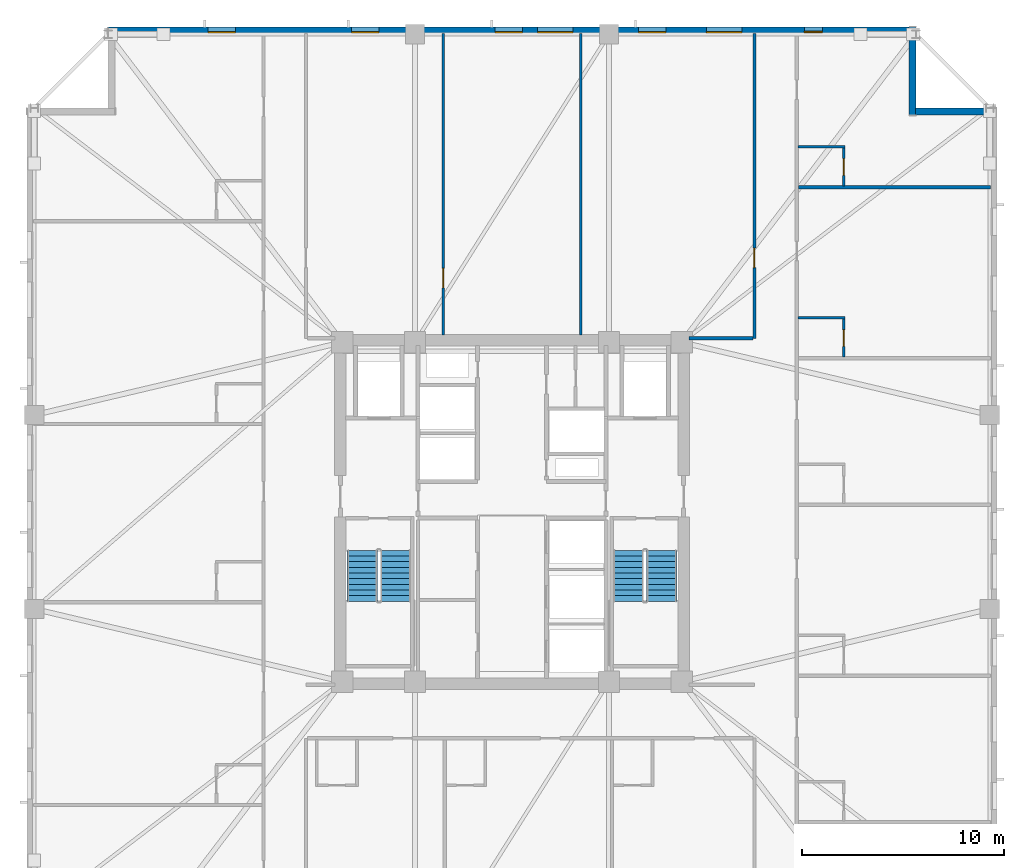
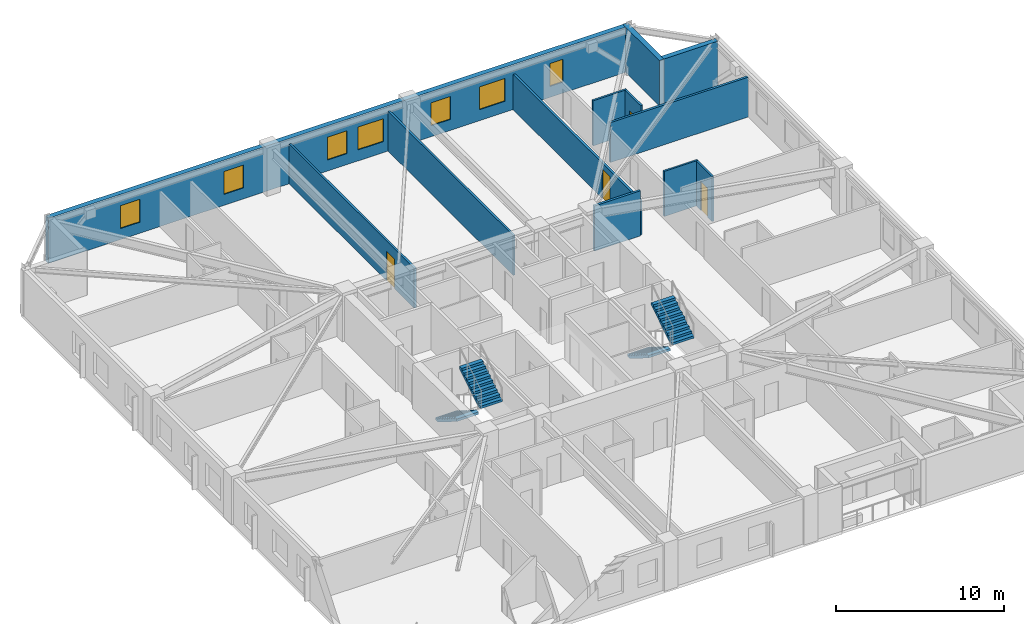
# One storey, part 6 of 11: 12 walls, 7 windows, 4 doors, 4 stair flights, 11 openings, 2 elements without a shape of their own.
"""IFC4 building model written with IfcOpenShell, lengths in metres."""

from ifc_helpers import new_model, si_unit, direction, frame, frame_2d, origin, place, context, subcontext, project, spatial, polyline, rectangle, outline, extrude, material, layer, layer_set, type_object, element, fill, aggregate, save


model = new_model("IFC4")

# Units and contexts
model_context = context("Model", 3, precision=1e-05, world=origin(), true_north=direction((0.0, 1.0)))
body_context = subcontext(model_context, "Body", "Model", "MODEL_VIEW")
ifc_project = project(units=[si_unit("LENGTHUNIT", "METRE"), si_unit("AREAUNIT", "SQUARE_METRE"), si_unit("VOLUMEUNIT", "CUBIC_METRE"), si_unit("PLANEANGLEUNIT", "RADIAN"), si_unit("MASSUNIT", "GRAM", prefix="KILO")], contexts=[model_context])

# Site, building, storey
site_placement = place(None, origin())
site = spatial("IfcSite", under=ifc_project, at=site_placement, CompositionType="ELEMENT")
building_placement = place(site_placement, origin())
building = spatial("IfcBuilding", under=site, at=building_placement, Name="Cairnveth Concourse Tower", CompositionType="ELEMENT")
storey_placement = place(building_placement, frame((0.0, 0.0, 169.0)))
storey = spatial("IfcBuildingStorey", under=building, at=storey_placement, Name="L46", CompositionType="ELEMENT", Elevation=169.0)

# Wall, opening, door
ifc_material_1 = material(Name="Gypsum Plasterboard Partition", Category="gypsum")
ifc_layer_1 = layer(ifc_material_1, 0.159912109375)
ifc_layer_set_1 = layer_set([ifc_layer_1], Name="Gypsum Plasterboard Partition")
wall_type_1 = type_object("IfcWallType", Name="ACOUSTIC PARTY WALL 180", PredefinedType="PARTITIONING", material=ifc_layer_set_1)
wall_1_placement = place(storey_placement, frame((64.0, 47.60009765625, 0.0), z_axis=(0.0, 0.0, 1.0), x_axis=(0.0, 1.0, 0.0)))
wall_1 = element("IfcWall", 1, at=wall_1_placement, inside=storey, type_object=wall_type_1, Name="Interior Wall IW-L46-044", PredefinedType="PARTITIONING", context=body_context, shape_type="SweptSolid", body=[
    extrude(rectangle(XDim=15.074951171875, YDim=0.159912109375, at=frame_2d((7.53759765625, 0.0))), origin(), (0.0, 0.0, 1.0), 2.554931640625),
])
opening_1_placement = place(wall_1_placement, frame((3.5, 0.0, 0.0)))
opening_1 = element("IfcOpeningElement", 2, at=opening_1_placement, cuts=wall_1, Name="Opening ID11", PredefinedType="OPENING", context=body_context, shape_type="SweptSolid", body=[
    extrude(rectangle(XDim=0.9599609375, YDim=2.1201171875, at=frame_2d((0.47998046875, 1.06005859375))), frame((0.0, 0.08984375, 0.0), z_axis=(0.0, -1.0, 0.0), x_axis=(1.0, 0.0, 0.0)), (0.0, 0.0, 1.0), 0.179931640625),
])
ifc_material_2 = material(Name="Solid Core Hardwood Timber Leaf", Category="wood")
door_type_1 = type_object("IfcDoorType", Name="INTERIOR SINGLE DOOR 960X2150", OperationType="NOTDEFINED", PredefinedType="DOOR", material=ifc_material_2)
door_1_placement = place(opening_1_placement, origin())
door_1 = element("IfcDoor", 3, at=door_1_placement, inside=storey, type_object=door_type_1, Name="Interior Door DR-L46-017", OperationType="SINGLE_SWING_LEFT", OverallHeight=2.1201171875, OverallWidth=0.9599609375, PredefinedType="DOOR", context=body_context, shape_type="SweptSolid", body=[
    extrude(rectangle(XDim=0.9599609375, YDim=2.1201171875, at=frame_2d((0.47998046875, 1.06005859375))), frame((0.0, 0.02490234375, 0.0), z_axis=(0.0, -1.0, 0.0), x_axis=(1.0, 0.0, 0.0)), (0.0, 0.0, 1.0), 0.050048828125),
])
fill(opening_1, door_1)

# Walls
wall_2_placement = place(storey_placement, frame((60.764892578125, 47.60009765625, 0.0), z_axis=(0.0, 0.0, 1.0), x_axis=(1.0, 0.0, 0.0)))
element("IfcWall", 4, at=wall_2_placement, inside=storey, type_object=wall_type_1, Name="Interior Wall IW-L46-046", PredefinedType="PARTITIONING", context=body_context, shape_type="SweptSolid", body=[
    extrude(rectangle(XDim=3.170166015625, YDim=0.159912109375, at=frame_2d((1.5849609375, 0.0))), origin(), (0.0, 0.0, 1.0), 3.280029296875),
])
wall_3_placement = place(storey_placement, frame((66.179931640625, 55.0791015625, 0.0), z_axis=(0.0, 0.0, 1.0), x_axis=(1.0, 0.0, 0.0)))
element("IfcWall", 5, at=wall_3_placement, inside=storey, type_object=wall_type_1, Name="Interior Wall IW-L46-089", PredefinedType="PARTITIONING", context=body_context, shape_type="SweptSolid", body=[
    extrude(rectangle(XDim=9.4951171875, YDim=0.159912109375, at=frame_2d((4.74755859375, 0.0))), origin(), (0.0, 0.0, 1.0), 2.89599609375),
])

# Wall, opening, door
ifc_layer_2 = layer(ifc_material_1, 0.139892578125)
ifc_layer_set_2 = layer_set([ifc_layer_2], Name="Gypsum Plasterboard Partition")
wall_type_2 = type_object("IfcWallType", Name="GYPSUM STUD PARTITION 140", PredefinedType="PARTITIONING", material=ifc_layer_set_2)
wall_4_placement = place(storey_placement, frame((48.60009765625, 47.760009765625, 0.0), z_axis=(0.0, 0.0, 1.0), x_axis=(0.0, 1.0, 0.0)))
wall_4 = element("IfcWall", 6, at=wall_4_placement, inside=storey, type_object=wall_type_2, Name="Interior Wall IW-L46-048", PredefinedType="PARTITIONING", context=body_context, shape_type="SweptSolid", body=[
    extrude(rectangle(XDim=14.9150390625, YDim=0.139892578125, at=frame_2d((7.45751953125, 0.0))), origin(), (0.0, 0.0, 1.0), 2.89599609375),
])
opening_2_placement = place(wall_4_placement, frame((2.340087890625, 0.0, 0.0)))
opening_2 = element("IfcOpeningElement", 7, at=opening_2_placement, cuts=wall_4, Name="Opening ID11", PredefinedType="OPENING", context=body_context, shape_type="SweptSolid", body=[
    extrude(rectangle(XDim=0.9599609375, YDim=2.1201171875, at=frame_2d((0.47998046875, 1.06005859375))), frame((0.0, 0.079833984375, 0.0), z_axis=(0.0, -1.0, 0.0), x_axis=(1.0, 0.0, 0.0)), (0.0, 0.0, 1.0), 0.159912109375),
])
door_2_placement = place(opening_2_placement, origin())
door_2 = element("IfcDoor", 8, at=door_2_placement, inside=storey, type_object=door_type_1, Name="Interior Door DR-L46-018", OperationType="SINGLE_SWING_RIGHT", OverallHeight=2.1201171875, OverallWidth=0.9599609375, PredefinedType="DOOR", context=body_context, shape_type="SweptSolid", body=[
    extrude(rectangle(XDim=0.9599609375, YDim=2.1201171875, at=frame_2d((0.47998046875, 1.06005859375))), frame((0.0, 0.02490234375, 0.0), z_axis=(0.0, -1.0, 0.0), x_axis=(1.0, 0.0, 0.0)), (0.0, 0.0, 1.0), 0.050048828125),
])
fill(opening_2, door_2)

# Walls
wall_5_placement = place(storey_placement, frame((55.39990234375, 47.760009765625, 0.0), z_axis=(0.0, 0.0, 1.0), x_axis=(0.0, 1.0, 0.0)))
element("IfcWall", 9, at=wall_5_placement, inside=storey, type_object=wall_type_2, Name="Interior Wall IW-L46-049", PredefinedType="PARTITIONING", context=body_context, shape_type="SweptSolid", body=[
    extrude(rectangle(XDim=14.9150390625, YDim=0.139892578125, at=frame_2d((7.45751953125, 0.0))), origin(), (0.0, 0.0, 1.0), 2.89599609375),
])
ifc_layer_3 = layer(ifc_material_1, 0.1298828125)
ifc_layer_set_3 = layer_set([ifc_layer_3], Name="Gypsum Plasterboard Partition")
wall_type_3 = type_object("IfcWallType", Name="WET AREA PARTITION 140", PredefinedType="PLUMBINGWALL", material=ifc_layer_set_3)
wall_6_placement = place(storey_placement, frame((66.1650390625, 48.611328125, 0.0), z_axis=(0.0, 0.0, 1.0), x_axis=(1.0, 0.0, 0.0)))
element("IfcWall", 10, at=wall_6_placement, inside=storey, type_object=wall_type_3, Name="Interior Wall IW-L46-087", PredefinedType="PLUMBINGWALL", context=body_context, shape_type="SweptSolid", body=[
    extrude(rectangle(XDim=2.31494140625, YDim=0.1298828125, at=frame_2d((1.157470703125, 0.0))), origin(), (0.0, 0.0, 1.0), 3.280029296875),
])

# Wall, opening, door
wall_7_placement = place(storey_placement, frame((68.429931640625, 46.676513671875, 0.0), z_axis=(0.0, 0.0, 1.0), x_axis=(0.0, 1.0, 0.0)))
wall_7 = element("IfcWall", 11, at=wall_7_placement, inside=storey, type_object=wall_type_3, Name="Interior Wall IW-L46-088", PredefinedType="PLUMBINGWALL", context=body_context, shape_type="SweptSolid", body=[
    extrude(rectangle(XDim=1.884765625, YDim=0.1298828125, at=frame_2d((0.9423828125, 0.0))), origin(), (0.0, 0.0, 1.0), 3.280029296875),
])
opening_3_placement = place(wall_7_placement, frame((0.52490234375, 0.0, 0.0)))
opening_3 = element("IfcOpeningElement", 12, at=opening_3_placement, cuts=wall_7, Name="Opening ID22", PredefinedType="OPENING", context=body_context, shape_type="SweptSolid", body=[
    extrude(rectangle(XDim=0.820068359375, YDim=2.10009765625, at=frame_2d((0.41015625, 1.050048828125))), frame((0.0, 0.074951171875, 0.0), z_axis=(0.0, -1.0, 0.0), x_axis=(1.0, 0.0, 0.0)), (0.0, 0.0, 1.0), 0.14990234375),
])
door_type_2 = type_object("IfcDoorType", Name="INTERIOR WC DOOR 820X2100", OperationType="NOTDEFINED", PredefinedType="DOOR", material=ifc_material_2)
door_3_placement = place(opening_3_placement, origin())
door_3 = element("IfcDoor", 13, at=door_3_placement, inside=storey, type_object=door_type_2, Name="En-Suite Door L46-E5", OperationType="SINGLE_SWING_LEFT", OverallHeight=2.10009765625, OverallWidth=0.820068359375, PredefinedType="DOOR", context=body_context, shape_type="SweptSolid", body=[
    extrude(rectangle(XDim=0.820068359375, YDim=2.10009765625, at=frame_2d((0.41015625, 1.050048828125))), frame((0.0, 0.02490234375, 0.0), z_axis=(0.0, -1.0, 0.0), x_axis=(1.0, 0.0, 0.0)), (0.0, 0.0, 1.0), 0.050048828125),
])
fill(opening_3, door_3)

# Wall
wall_8_placement = place(storey_placement, frame((66.1650390625, 57.0791015625, 0.0), z_axis=(0.0, 0.0, 1.0), x_axis=(1.0, 0.0, 0.0)))
element("IfcWall", 14, at=wall_8_placement, inside=storey, type_object=wall_type_3, Name="Interior Wall IW-L46-090", PredefinedType="PLUMBINGWALL", context=body_context, shape_type="SweptSolid", body=[
    extrude(rectangle(XDim=2.31494140625, YDim=0.1298828125, at=frame_2d((1.157470703125, 0.0))), origin(), (0.0, 0.0, 1.0), 3.280029296875),
])

# Wall, opening, door
wall_9_placement = place(storey_placement, frame((68.429931640625, 55.14404296875, 0.0), z_axis=(0.0, 0.0, 1.0), x_axis=(0.0, 1.0, 0.0)))
wall_9 = element("IfcWall", 15, at=wall_9_placement, inside=storey, type_object=wall_type_3, Name="Interior Wall IW-L46-091", PredefinedType="PLUMBINGWALL", context=body_context, shape_type="SweptSolid", body=[
    extrude(rectangle(XDim=1.885009765625, YDim=0.1298828125, at=frame_2d((0.9423828125, 0.0))), origin(), (0.0, 0.0, 1.0), 3.280029296875),
])
opening_4_placement = place(wall_9_placement, frame((0.52490234375, 0.0, 0.0)))
opening_4 = element("IfcOpeningElement", 16, at=opening_4_placement, cuts=wall_9, Name="Opening ID22", PredefinedType="OPENING", context=body_context, shape_type="SweptSolid", body=[
    extrude(rectangle(XDim=0.820068359375, YDim=2.10009765625, at=frame_2d((0.41015625, 1.050048828125))), frame((0.0, 0.074951171875, 0.0), z_axis=(0.0, -1.0, 0.0), x_axis=(1.0, 0.0, 0.0)), (0.0, 0.0, 1.0), 0.14990234375),
])
door_4_placement = place(opening_4_placement, origin())
door_4 = element("IfcDoor", 17, at=door_4_placement, inside=storey, type_object=door_type_2, Name="En-Suite Door L46-E6", OperationType="SINGLE_SWING_LEFT", OverallHeight=2.10009765625, OverallWidth=0.820068359375, PredefinedType="DOOR", context=body_context, shape_type="SweptSolid", body=[
    extrude(rectangle(XDim=0.820068359375, YDim=2.10009765625, at=frame_2d((0.41015625, 1.050048828125))), frame((0.0, 0.02490234375, 0.0), z_axis=(0.0, -1.0, 0.0), x_axis=(1.0, 0.0, 0.0)), (0.0, 0.0, 1.0), 0.050048828125),
])
fill(opening_4, door_4)

# Wall, openings, windows
ifc_material_3 = material(Name="Hawthorn Red-Ochre Fired Clay Brick Masonry", Category="masonry")
ifc_layer_4 = layer(ifc_material_3, 0.340087890625)
ifc_layer_set_4 = layer_set([ifc_layer_4], Name="Hawthorn Red-Ochre Fired Clay Brick Masonry")
wall_type_4 = type_object("IfcWallType", Name="ZONE 2 BRICK PIER SPANDREL WALL 340", PredefinedType="SOLIDWALL", material=ifc_layer_set_4)
wall_10_placement = place(storey_placement, frame((32.0, 62.830078125, 0.0), z_axis=(0.0, 0.0, 1.0), x_axis=(1.0, 0.0, 0.0)))
wall_10 = element("IfcWall", 18, at=wall_10_placement, inside=storey, type_object=wall_type_4, Name="Exterior Wall EW-L46-S06", PredefinedType="SOLIDWALL", context=body_context, shape_type="SweptSolid", body=[
    extrude(rectangle(XDim=39.681884765625, YDim=0.340087890625, at=frame_2d((19.8408203125, 0.0))), origin(), (0.0, 0.0, 1.0), 3.280029296875),
])
opening_5_placement = place(wall_10_placement, frame((4.951904296875, 0.0, 0.800048828125)))
opening_5 = element("IfcOpeningElement", 19, at=opening_5_placement, cuts=wall_10, Name="Opening W02", PredefinedType="OPENING", context=body_context, shape_type="SweptSolid", body=[
    extrude(rectangle(XDim=1.35009765625, YDim=1.659912109375, at=frame_2d((0.675048828125, 0.830078125))), frame((0.0, 0.179931640625, 0.0), z_axis=(0.0, -1.0, 0.0), x_axis=(1.0, 0.0, 0.0)), (0.0, 0.0, 1.0), 0.360107421875),
])
opening_6_placement = place(wall_10_placement, frame((12.058837890625, 0.0, 0.800048828125)))
opening_6 = element("IfcOpeningElement", 20, at=opening_6_placement, cuts=wall_10, Name="Opening W02", PredefinedType="OPENING", context=body_context, shape_type="SweptSolid", body=[
    extrude(rectangle(XDim=1.35009765625, YDim=1.659912109375, at=frame_2d((0.675048828125, 0.830078125))), frame((0.0, 0.179931640625, 0.0), z_axis=(0.0, -1.0, 0.0), x_axis=(1.0, 0.0, 0.0)), (0.0, 0.0, 1.0), 0.360107421875),
])
opening_7_placement = place(wall_10_placement, frame((19.166015625, 0.0, 0.800048828125)))
opening_7 = element("IfcOpeningElement", 21, at=opening_7_placement, cuts=wall_10, Name="Opening W02", PredefinedType="OPENING", context=body_context, shape_type="SweptSolid", body=[
    extrude(rectangle(XDim=1.35009765625, YDim=1.659912109375, at=frame_2d((0.675048828125, 0.830078125))), frame((0.0, 0.179931640625, 0.0), z_axis=(0.0, -1.0, 0.0), x_axis=(1.0, 0.0, 0.0)), (0.0, 0.0, 1.0), 0.360107421875),
])
opening_8_placement = place(wall_10_placement, frame((21.26953125, 0.0, 0.800048828125)))
opening_8 = element("IfcOpeningElement", 22, at=opening_8_placement, cuts=wall_10, Name="Opening W06", PredefinedType="OPENING", context=body_context, shape_type="SweptSolid", body=[
    extrude(rectangle(XDim=1.75, YDim=1.659912109375, at=frame_2d((0.875, 0.830078125))), frame((0.0, 0.179931640625, 0.0), z_axis=(0.0, -1.0, 0.0), x_axis=(1.0, 0.0, 0.0)), (0.0, 0.0, 1.0), 0.360107421875),
])
opening_9_placement = place(wall_10_placement, frame((26.273193359375, 0.0, 0.800048828125)))
opening_9 = element("IfcOpeningElement", 23, at=opening_9_placement, cuts=wall_10, Name="Opening W02", PredefinedType="OPENING", context=body_context, shape_type="SweptSolid", body=[
    extrude(rectangle(XDim=1.35009765625, YDim=1.659912109375, at=frame_2d((0.675048828125, 0.830078125))), frame((0.0, 0.179931640625, 0.0), z_axis=(0.0, -1.0, 0.0), x_axis=(1.0, 0.0, 0.0)), (0.0, 0.0, 1.0), 0.360107421875),
])
opening_10_placement = place(wall_10_placement, frame((29.626708984375, 0.0, 0.800048828125)))
opening_10 = element("IfcOpeningElement", 24, at=opening_10_placement, cuts=wall_10, Name="Opening W06", PredefinedType="OPENING", context=body_context, shape_type="SweptSolid", body=[
    extrude(rectangle(XDim=1.75, YDim=1.659912109375, at=frame_2d((0.875, 0.830078125))), frame((0.0, 0.179931640625, 0.0), z_axis=(0.0, -1.0, 0.0), x_axis=(1.0, 0.0, 0.0)), (0.0, 0.0, 1.0), 0.360107421875),
])
opening_11_placement = place(wall_10_placement, frame((34.469970703125, 0.0, 0.800048828125)))
opening_11 = element("IfcOpeningElement", 25, at=opening_11_placement, cuts=wall_10, Name="Opening W13", PredefinedType="OPENING", context=body_context, shape_type="SweptSolid", body=[
    extrude(rectangle(XDim=0.89990234375, YDim=1.659912109375, at=frame_2d((0.449951171875, 0.830078125))), frame((0.0, 0.179931640625, 0.0), z_axis=(0.0, -1.0, 0.0), x_axis=(1.0, 0.0, 0.0)), (0.0, 0.0, 1.0), 0.360107421875),
])
ifc_material_4 = material(Name="Double Glazed Low-E Clear Glass", Category="glass")
window_type_1 = type_object("IfcWindowType", Name="DEEP-SET BEDROOM LANCET WINDOW 900X1750", PartitioningType="DOUBLE_PANEL_VERTICAL", PredefinedType="WINDOW", material=ifc_material_4)
window_1_placement = place(opening_11_placement, origin())
window_1 = element("IfcWindow", 26, at=window_1_placement, inside=storey, type_object=window_type_1, Name="Dwelling Lancet Window L46-DW2", OverallHeight=1.659912109375, OverallWidth=0.89990234375, PartitioningType="SINGLE_PANEL", PredefinedType="WINDOW", context=body_context, shape_type="SweptSolid", body=[
    extrude(rectangle(XDim=0.89990234375, YDim=1.659912109375, at=frame_2d((0.449951171875, 0.830078125))), frame((0.0, -0.0400390625, 0.0), z_axis=(0.0, -1.0, 0.0), x_axis=(1.0, 0.0, 0.0)), (0.0, 0.0, 1.0), 0.06005859375),
])
fill(opening_11, window_1)
window_type_2 = type_object("IfcWindowType", Name="DEEP-SET GOTHIC LANCET WINDOW 1350X1800", PartitioningType="DOUBLE_PANEL_VERTICAL", PredefinedType="WINDOW", material=ifc_material_4)
window_2_placement = place(opening_5_placement, origin())
window_2 = element("IfcWindow", 27, at=window_2_placement, inside=storey, type_object=window_type_2, Name="Gothic Lancet Window L46-6-1", OverallHeight=1.659912109375, OverallWidth=1.35009765625, PartitioningType="SINGLE_PANEL", PredefinedType="WINDOW", context=body_context, shape_type="SweptSolid", body=[
    extrude(rectangle(XDim=1.35009765625, YDim=1.659912109375, at=frame_2d((0.675048828125, 0.830078125))), frame((0.0, -0.050048828125, 0.0), z_axis=(0.0, -1.0, 0.0), x_axis=(1.0, 0.0, 0.0)), (0.0, 0.0, 1.0), 0.06005859375),
])
fill(opening_5, window_2)
window_3_placement = place(opening_6_placement, origin())
window_3 = element("IfcWindow", 28, at=window_3_placement, inside=storey, type_object=window_type_2, Name="Gothic Lancet Window L46-6-3", OverallHeight=1.659912109375, OverallWidth=1.35009765625, PartitioningType="SINGLE_PANEL", PredefinedType="WINDOW", context=body_context, shape_type="SweptSolid", body=[
    extrude(rectangle(XDim=1.35009765625, YDim=1.659912109375, at=frame_2d((0.675048828125, 0.830078125))), frame((0.0, -0.050048828125, 0.0), z_axis=(0.0, -1.0, 0.0), x_axis=(1.0, 0.0, 0.0)), (0.0, 0.0, 1.0), 0.06005859375),
])
fill(opening_6, window_3)
window_4_placement = place(opening_7_placement, origin())
window_4 = element("IfcWindow", 29, at=window_4_placement, inside=storey, type_object=window_type_2, Name="Gothic Lancet Window L46-6-5", OverallHeight=1.659912109375, OverallWidth=1.35009765625, PartitioningType="SINGLE_PANEL", PredefinedType="WINDOW", context=body_context, shape_type="SweptSolid", body=[
    extrude(rectangle(XDim=1.35009765625, YDim=1.659912109375, at=frame_2d((0.675048828125, 0.830078125))), frame((0.0, -0.050048828125, 0.0), z_axis=(0.0, -1.0, 0.0), x_axis=(1.0, 0.0, 0.0)), (0.0, 0.0, 1.0), 0.06005859375),
])
fill(opening_7, window_4)
window_5_placement = place(opening_9_placement, origin())
window_5 = element("IfcWindow", 30, at=window_5_placement, inside=storey, type_object=window_type_2, Name="Gothic Lancet Window L46-6-7", OverallHeight=1.659912109375, OverallWidth=1.35009765625, PartitioningType="SINGLE_PANEL", PredefinedType="WINDOW", context=body_context, shape_type="SweptSolid", body=[
    extrude(rectangle(XDim=1.35009765625, YDim=1.659912109375, at=frame_2d((0.675048828125, 0.830078125))), frame((0.0, -0.050048828125, 0.0), z_axis=(0.0, -1.0, 0.0), x_axis=(1.0, 0.0, 0.0)), (0.0, 0.0, 1.0), 0.06005859375),
])
fill(opening_9, window_5)
window_type_3 = type_object("IfcWindowType", Name="DEEP-SET HOTEL SUITE WINDOW 1750X1800", PartitioningType="DOUBLE_PANEL_VERTICAL", PredefinedType="WINDOW", material=ifc_material_4)
window_6_placement = place(opening_8_placement, origin())
window_6 = element("IfcWindow", 31, at=window_6_placement, inside=storey, type_object=window_type_3, Name="Gothic Lancet Window L46-6-6", OverallHeight=1.659912109375, OverallWidth=1.75, PartitioningType="SINGLE_PANEL", PredefinedType="WINDOW", context=body_context, shape_type="SweptSolid", body=[
    extrude(rectangle(XDim=1.75, YDim=1.659912109375, at=frame_2d((0.875, 0.830078125))), frame((0.0, -0.050048828125, 0.0), z_axis=(0.0, -1.0, 0.0), x_axis=(1.0, 0.0, 0.0)), (0.0, 0.0, 1.0), 0.06005859375),
])
fill(opening_8, window_6)
window_7_placement = place(opening_10_placement, origin())
window_7 = element("IfcWindow", 32, at=window_7_placement, inside=storey, type_object=window_type_3, Name="Gothic Lancet Window L46-6-8", OverallHeight=1.659912109375, OverallWidth=1.75, PartitioningType="SINGLE_PANEL", PredefinedType="WINDOW", context=body_context, shape_type="SweptSolid", body=[
    extrude(rectangle(XDim=1.75, YDim=1.659912109375, at=frame_2d((0.875, 0.830078125))), frame((0.0, -0.050048828125, 0.0), z_axis=(0.0, -1.0, 0.0), x_axis=(1.0, 0.0, 0.0)), (0.0, 0.0, 1.0), 0.06005859375),
])
fill(opening_10, window_7)

# Walls
wall_11_placement = place(storey_placement, frame((71.830078125, 63.0, 0.0), z_axis=(0.0, 0.0, 1.0), x_axis=(0.0, -1.0, 0.0)))
element("IfcWall", 33, at=wall_11_placement, inside=storey, type_object=wall_type_4, Name="Exterior Wall EW-L46-S07", PredefinedType="SOLIDWALL", context=body_context, shape_type="SweptSolid", body=[
    extrude(rectangle(XDim=4.340087890625, YDim=0.340087890625, at=frame_2d((2.169921875, 0.0))), origin(), (0.0, 0.0, 1.0), 3.280029296875),
])
wall_12_placement = place(storey_placement, frame((71.97802734375, 58.830078125, 0.0), z_axis=(0.0, 0.0, 1.0), x_axis=(1.0, 0.0, 0.0)))
element("IfcWall", 34, at=wall_12_placement, inside=storey, type_object=wall_type_4, Name="Exterior Wall EW-L46-S08", PredefinedType="SOLIDWALL", context=body_context, shape_type="SweptSolid", body=[
    extrude(rectangle(XDim=3.703857421875, YDim=0.340087890625, at=frame_2d((1.85205078125, 0.0))), origin(), (0.0, 0.0, 1.0), 3.280029296875),
])

# Stair, stair flights
ifc_material_5 = material(Name="Precast concrete N50 (50 MPa)", Category="concrete")
stair_type = type_object("IfcStairType", Name="CORE DOG-LEG FIRE STAIR 1500", PredefinedType="HALF_TURN_STAIR", material=ifc_material_5)
stair_1_placement = place(storey_placement, origin())
stair_1 = element("IfcStair", 35, at=stair_1_placement, inside=storey, type_object=stair_type, Name="L46 Fire-Isolated Stair ST-1", PredefinedType="HALF_TURN_STAIR")
stair_flight_type = type_object("IfcStairFlightType", Name="PRECAST CONCRETE STAIR FLIGHT 1500", PredefinedType="STRAIGHT", material=ifc_material_5)
stair_flight_1_placement = place(storey_placement, frame((44.590087890625, 37.10009765625, 0.0), z_axis=(0.0, 0.0, 1.0), x_axis=(0.0, -1.0, 0.0)))
stair_flight_1 = element("IfcStairFlight", 36, at=stair_flight_1_placement, type_object=stair_flight_type, Name="ST-1 flight 1", NumberOfRisers=10, NumberOfTreads=9, PredefinedType="STRAIGHT", RiserHeight=0.175, TreadLength=0.28, context=body_context, shape_type="SweptSolid", body=[
    extrude(outline(polyline([(0.0, 0.0), (0.0, 0.175048828125), (0.280029296875, 0.175048828125), (0.280029296875, 0.35009765625), (0.56005859375, 0.35009765625), (0.56005859375, 0.52490234375), (0.840087890625, 0.52490234375), (0.840087890625, 0.699951171875), (1.1201171875, 0.699951171875), (1.1201171875, 0.875), (1.39990234375, 0.875), (1.39990234375, 1.050048828125), (1.679931640625, 1.050048828125), (1.679931640625, 1.22509765625), (1.9599609375, 1.22509765625), (1.9599609375, 1.39990234375), (2.239990234375, 1.39990234375), (2.239990234375, 1.574951171875), (2.52001953125, 1.574951171875), (2.52001953125, 1.75), (2.52001953125, 1.398193359375), (0.28271484375, 0.0), (0.0, 0.0)])), frame((0.0, 0.75, 0.0), z_axis=(0.0, -1.0, 0.0), x_axis=(1.0, 0.0, 0.0)), (0.0, 0.0, 1.0), 1.5),
])
stair_flight_2_placement = place(storey_placement, frame((46.22998046875, 34.580078125, 1.75), z_axis=(0.0, 0.0, 1.0), x_axis=(0.0, 1.0, 0.0)))
stair_flight_2 = element("IfcStairFlight", 37, at=stair_flight_2_placement, type_object=stair_flight_type, Name="ST-1 flight 2", NumberOfRisers=10, NumberOfTreads=9, PredefinedType="STRAIGHT", RiserHeight=0.175, TreadLength=0.28, context=body_context, shape_type="SweptSolid", body=[
    extrude(outline(polyline([(0.0, 0.0), (0.0, 0.175048828125), (0.280029296875, 0.175048828125), (0.280029296875, 0.35009765625), (0.56005859375, 0.35009765625), (0.56005859375, 0.52490234375), (0.840087890625, 0.52490234375), (0.840087890625, 0.699951171875), (1.1201171875, 0.699951171875), (1.1201171875, 0.875), (1.39990234375, 0.875), (1.39990234375, 1.050048828125), (1.679931640625, 1.050048828125), (1.679931640625, 1.22509765625), (1.9599609375, 1.22509765625), (1.9599609375, 1.39990234375), (2.239990234375, 1.39990234375), (2.239990234375, 1.574951171875), (2.52001953125, 1.574951171875), (2.52001953125, 1.75), (2.52001953125, 1.398193359375), (0.28271484375, 0.0), (0.0, 0.0)])), frame((0.0, 0.75, 0.0), z_axis=(0.0, -1.0, 0.0), x_axis=(1.0, 0.0, 0.0)), (0.0, 0.0, 1.0), 1.5),
])
aggregate(stair_1, [stair_flight_1, stair_flight_2])

stair_2_placement = place(storey_placement, origin())
stair_2 = element("IfcStair", 38, at=stair_2_placement, inside=storey, type_object=stair_type, Name="L46 Fire-Isolated Stair ST-2", PredefinedType="HALF_TURN_STAIR")
stair_flight_3_placement = place(storey_placement, frame((57.77001953125, 37.10009765625, 0.0), z_axis=(0.0, 0.0, 1.0), x_axis=(0.0, -1.0, 0.0)))
stair_flight_3 = element("IfcStairFlight", 39, at=stair_flight_3_placement, type_object=stair_flight_type, Name="ST-2 flight 1", NumberOfRisers=10, NumberOfTreads=9, PredefinedType="STRAIGHT", RiserHeight=0.175, TreadLength=0.28, context=body_context, shape_type="SweptSolid", body=[
    extrude(outline(polyline([(0.0, 0.0), (0.0, 0.175048828125), (0.280029296875, 0.175048828125), (0.280029296875, 0.35009765625), (0.56005859375, 0.35009765625), (0.56005859375, 0.52490234375), (0.840087890625, 0.52490234375), (0.840087890625, 0.699951171875), (1.1201171875, 0.699951171875), (1.1201171875, 0.875), (1.39990234375, 0.875), (1.39990234375, 1.050048828125), (1.679931640625, 1.050048828125), (1.679931640625, 1.22509765625), (1.9599609375, 1.22509765625), (1.9599609375, 1.39990234375), (2.239990234375, 1.39990234375), (2.239990234375, 1.574951171875), (2.52001953125, 1.574951171875), (2.52001953125, 1.75), (2.52001953125, 1.398193359375), (0.28271484375, 0.0), (0.0, 0.0)])), frame((0.0, 0.75, 0.0), z_axis=(0.0, -1.0, 0.0), x_axis=(1.0, 0.0, 0.0)), (0.0, 0.0, 1.0), 1.5),
])
stair_flight_4_placement = place(storey_placement, frame((59.409912109375, 34.580078125, 1.75), z_axis=(0.0, 0.0, 1.0), x_axis=(0.0, 1.0, 0.0)))
stair_flight_4 = element("IfcStairFlight", 40, at=stair_flight_4_placement, type_object=stair_flight_type, Name="ST-2 flight 2", NumberOfRisers=10, NumberOfTreads=9, PredefinedType="STRAIGHT", RiserHeight=0.175, TreadLength=0.28, context=body_context, shape_type="SweptSolid", body=[
    extrude(outline(polyline([(0.0, 0.0), (0.0, 0.175048828125), (0.280029296875, 0.175048828125), (0.280029296875, 0.35009765625), (0.56005859375, 0.35009765625), (0.56005859375, 0.52490234375), (0.840087890625, 0.52490234375), (0.840087890625, 0.699951171875), (1.1201171875, 0.699951171875), (1.1201171875, 0.875), (1.39990234375, 0.875), (1.39990234375, 1.050048828125), (1.679931640625, 1.050048828125), (1.679931640625, 1.22509765625), (1.9599609375, 1.22509765625), (1.9599609375, 1.39990234375), (2.239990234375, 1.39990234375), (2.239990234375, 1.574951171875), (2.52001953125, 1.574951171875), (2.52001953125, 1.75), (2.52001953125, 1.398193359375), (0.28271484375, 0.0), (0.0, 0.0)])), frame((0.0, 0.75, 0.0), z_axis=(0.0, -1.0, 0.0), x_axis=(1.0, 0.0, 0.0)), (0.0, 0.0, 1.0), 1.5),
])
aggregate(stair_2, [stair_flight_3, stair_flight_4])

save(model, "model.ifc")
